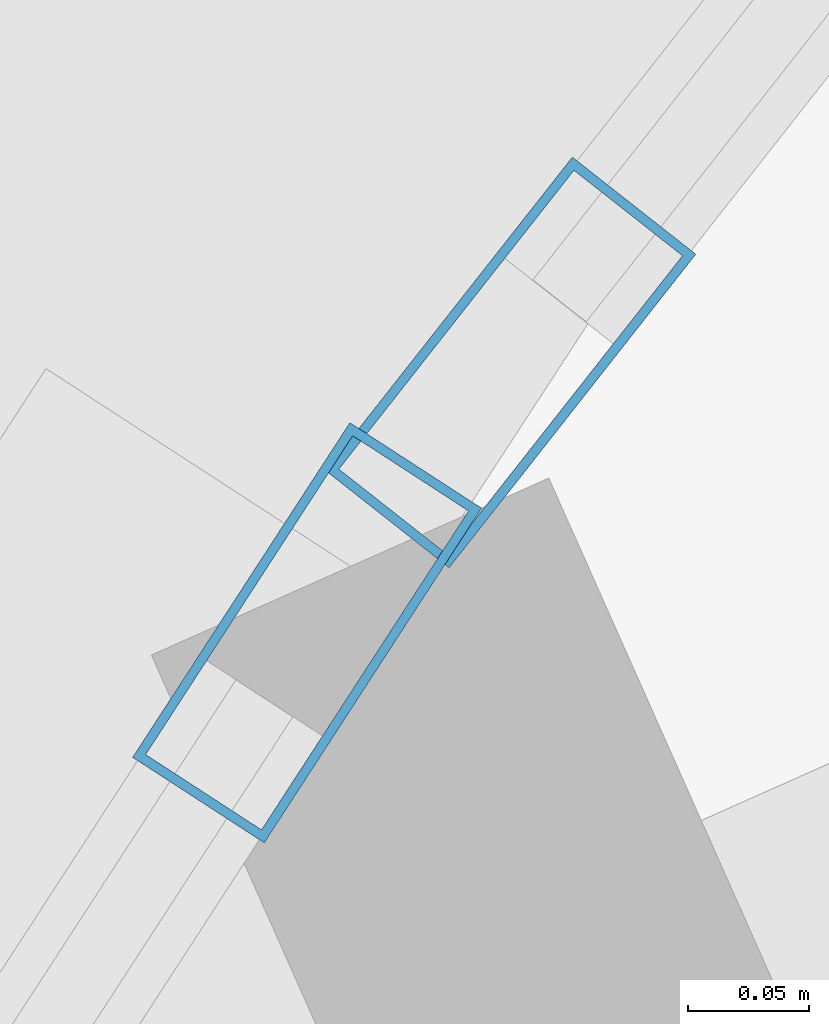
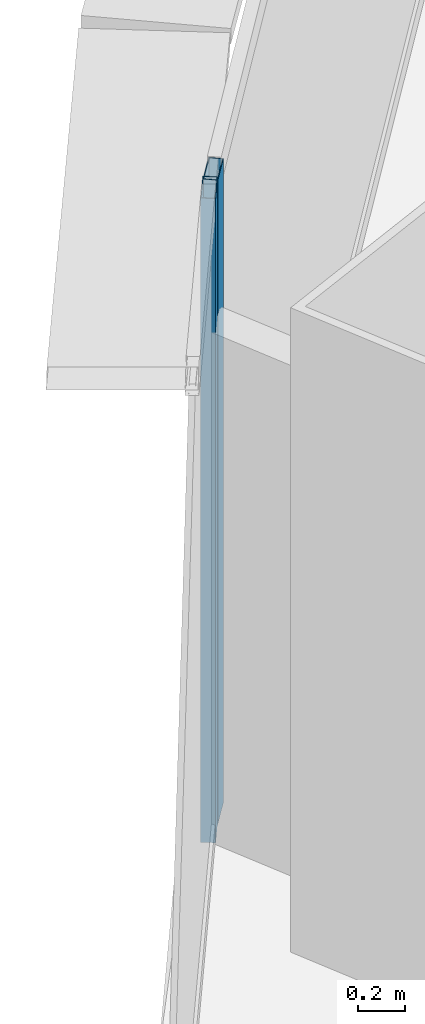
# One storey, part 18 of 37: 2 members, 2 elements without a shape of their own.
"""IFC4 building model written with IfcOpenShell, lengths in metres."""

import ifcopenshell
import ifcopenshell.guid

model = None  # the IFC model being written
_history = None  # IfcOwnerHistory: only IFC2X3 demands one
_inside = {}  # id of a spatial element -> (the spatial element, [elements in it])
_under = {}  # id of a project, library or spatial element -> (it, [spatial elements below it])
_declared = {}  # id of a project -> (the project, [libraries it declares])
_typed = {}  # id of a type object -> (the type object, [elements of that type])
_made_of = {}  # id of a material, layer set ... -> (it, [elements and type objects made of it])


def new_model(schema):
    """Start an empty IFC model of exactly this schema.

    Asked for "IFC4X3", IfcOpenShell would pick the latest addendum, in which some entities
    have other attributes; the version numbers below select the first issue.
    IFC2X3 requires an IfcOwnerHistory on every rooted entity: one is made here for all.
    """
    global model, _history
    if schema == "IFC4X3":
        model = ifcopenshell.file(schema_version=(4, 3, 0, 0))
    else:
        model = ifcopenshell.file(schema=schema)
    _inside.clear()
    _under.clear()
    _declared.clear()
    _typed.clear()
    _made_of.clear()
    _history = None
    if model.schema == "IFC2X3":
        org = make("IfcOrganization", Name="unknown")
        user = make(
            "IfcPersonAndOrganization",
            ThePerson=make("IfcPerson", FamilyName="unknown"),
            TheOrganization=org,
        )
        app = make(
            "IfcApplication",
            ApplicationDeveloper=org,
            Version="unknown",
            ApplicationFullName="unknown",
            ApplicationIdentifier="unknown",
        )
        _history = make(
            "IfcOwnerHistory",
            OwningUser=user,
            OwningApplication=app,
            ChangeAction="ADDED",
            CreationDate=0,
        )
    return model


def make(cls, **values):
    """One entity of the class cls with the attributes given. An attribute that is None is left unset."""
    return model.create_entity(
        cls, **{name: value for name, value in values.items() if value is not None}
    )


def rooted(cls, **values):
    """An entity with a GlobalId (a new one), such as an element, a storey or a relation."""
    return make(cls, GlobalId=ifcopenshell.guid.new(), OwnerHistory=_history, **values)


def si_unit(unit_type, name, prefix=None):
    """IfcSIUnit, for example si_unit("LENGTHUNIT", "METRE", prefix="MILLI")."""
    return make("IfcSIUnit", UnitType=unit_type, Prefix=prefix, Name=name)


def assignment(units):
    """IfcUnitAssignment: the units of a project."""
    return None if units is None else make("IfcUnitAssignment", Units=units)


def point(xyz):
    """IfcCartesianPoint."""
    return None if xyz is None else make("IfcCartesianPoint", Coordinates=xyz)


def direction(xyz):
    """IfcDirection."""
    return None if xyz is None else make("IfcDirection", DirectionRatios=xyz)


def frame(location, z_axis=None, x_axis=None):
    """IfcAxis2Placement3D, a coordinate frame: its origin and axes. An axis left out is left unset."""
    return make(
        "IfcAxis2Placement3D",
        Location=point(location),
        Axis=direction(z_axis),
        RefDirection=direction(x_axis),
    )


def frame_2d(location, x_axis=None):
    """IfcAxis2Placement2D, a coordinate frame in the plane: its origin and x axis."""
    return make(
        "IfcAxis2Placement2D", Location=point(location), RefDirection=direction(x_axis)
    )


def origin():
    """The frame at (0, 0, 0) with its axes left unset."""
    return frame((0.0, 0.0, 0.0))


def origin_2d():
    """The frame at (0, 0) in the plane with its x axis left unset."""
    return frame_2d((0.0, 0.0))


def place(relative_to, where):
    """IfcLocalPlacement: puts the frame where relative to a parent placement (None: the world)."""
    return make(
        "IfcLocalPlacement", PlacementRelTo=relative_to, RelativePlacement=where
    )


def context(
    kind, dimensions, precision=None, world=None, true_north=None, identifier=None
):
    """IfcGeometricRepresentationContext, for example the 3D "Model" context."""
    return make(
        "IfcGeometricRepresentationContext",
        ContextIdentifier=identifier,
        ContextType=kind,
        CoordinateSpaceDimension=dimensions,
        Precision=precision,
        WorldCoordinateSystem=world,
        TrueNorth=true_north,
    )


def subcontext(parent, identifier, kind, view, scale=None):
    """IfcGeometricRepresentationSubContext, for example "Body" below "Model"."""
    return make(
        "IfcGeometricRepresentationSubContext",
        ContextIdentifier=identifier,
        ContextType=kind,
        ParentContext=parent,
        TargetScale=scale,
        TargetView=view,
    )


def project(units=None, contexts=None):
    """IfcProject with its units and contexts."""
    return rooted(
        "IfcProject",
        Name="project",
        RepresentationContexts=contexts,
        UnitsInContext=assignment(units),
    )


def spatial(cls, under=None, at=None, **own):
    """A site, building, storey or space (cls), placed at a placement, below another one or the project."""
    s = rooted(cls, ObjectPlacement=at, **own)
    if under is not None:
        _under.setdefault(under.id(), (under, []))[1].append(s)
    return s


def profile(cls, at=None, kind="AREA", **sizes):
    """A parametric profile (cls). Its sizes go by their IFC names, for example OverallWidth=200.0."""
    return make(cls, ProfileType=kind, Position=at, **sizes)


def hollow_rectangle(**sizes):
    """IfcRectangleHollowProfileDef."""
    return profile("IfcRectangleHollowProfileDef", **sizes)


def extrude(swept, where, along, depth):
    """IfcExtrudedAreaSolid: the profile swept, set in the frame where, extruded along a direction by depth."""
    return make(
        "IfcExtrudedAreaSolid",
        SweptArea=swept,
        Position=where,
        ExtrudedDirection=direction(along),
        Depth=depth,
    )


def shape(context_of_items, identifier, shape_type, items):
    """IfcShapeRepresentation: the items that make up one representation, for example the "Body"."""
    return make(
        "IfcShapeRepresentation",
        ContextOfItems=context_of_items,
        RepresentationIdentifier=identifier,
        RepresentationType=shape_type,
        Items=items,
    )


def source(mapping_origin, context_of_items, identifier, shape_type, items):
    """IfcRepresentationMap: a shape defined once, which mapped items show again and again."""
    return make(
        "IfcRepresentationMap",
        MappingOrigin=mapping_origin,
        MappedRepresentation=shape(context_of_items, identifier, shape_type, items),
    )


def transform(
    local_origin,
    x_axis=None,
    y_axis=None,
    z_axis=None,
    scale=None,
    scale2=None,
    scale3=None,
    uniform=True,
):
    """IfcCartesianTransformationOperator3D, or its non-uniform kind. x_axis, y_axis, z_axis: its Axis1, 2, 3."""
    if uniform:
        return make(
            "IfcCartesianTransformationOperator3D",
            Axis1=direction(x_axis),
            Axis2=direction(y_axis),
            LocalOrigin=point(local_origin),
            Scale=scale,
            Axis3=direction(z_axis),
        )
    return make(
        "IfcCartesianTransformationOperator3DnonUniform",
        Axis1=direction(x_axis),
        Axis2=direction(y_axis),
        LocalOrigin=point(local_origin),
        Scale=scale,
        Axis3=direction(z_axis),
        Scale2=scale2,
        Scale3=scale3,
    )


def mapped(mapping_source, mapping_target):
    """IfcMappedItem: shows the shape of a source again, moved by a transform."""
    return make(
        "IfcMappedItem", MappingSource=mapping_source, MappingTarget=mapping_target
    )


def material(Name=None, Category=None):
    """IfcMaterial."""
    return make("IfcMaterial", Name=Name, Category=Category)


def layer(
    of_material, thickness, ventilated=None, Name=None, Category=None, Priority=None
):
    """IfcMaterialLayer: one layer of a wall or slab, of a material (None: an air gap)."""
    return make(
        "IfcMaterialLayer",
        Material=of_material,
        LayerThickness=thickness,
        IsVentilated=ventilated,
        Name=Name,
        Category=Category,
        Priority=Priority,
    )


def layer_set(layers, Name=None):
    """IfcMaterialLayerSet."""
    return make("IfcMaterialLayerSet", MaterialLayers=layers, LayerSetName=Name)


def material_profile(
    of_material, cross_section, Name=None, Category=None, Priority=None
):
    """IfcMaterialProfile: a cross section and its material."""
    return make(
        "IfcMaterialProfile",
        Name=Name,
        Material=of_material,
        Profile=cross_section,
        Priority=Priority,
        Category=Category,
    )


def profile_set(profiles, Name=None, composite=None):
    """IfcMaterialProfileSet."""
    return make(
        "IfcMaterialProfileSet",
        Name=Name,
        MaterialProfiles=profiles,
        CompositeProfile=composite,
    )


def made_of(thing, what):
    """Note that an element or type object is made of a material, layer set ...; save() writes the relation."""
    if what is not None:
        _made_of.setdefault(what.id(), (what, []))[1].append(thing)
    return thing


def type_object(cls, material=None, **own):
    """A type object (cls), such as IfcWallType, which elements share."""
    return made_of(rooted(cls, **own), material)


def element(
    cls,
    number,
    at=None,
    inside=None,
    cuts=None,
    type_object=None,
    material=None,
    context=None,
    identifier="Body",
    shape_type=None,
    held_by="IfcProductDefinitionShape",
    body=None,
    shapes=None,
    **own,
):
    """One element of the class cls, such as IfcWall. Its Tag is "e" and its number.

    at: its placement. inside: the storey or other place that contains it. cuts: it is an
    opening in that element (IfcRelVoidsElement). A single representation is given by context,
    identifier, shape_type and body (its items); several are given by shapes. held_by: the class
    of the entity that holds the representations. save() writes the other relations.
    """
    e = rooted(cls, Tag="e%d" % number, ObjectPlacement=at, **own)
    if body is not None:
        shapes = [shape(context, identifier, shape_type, body)]
    if shapes is not None:
        e.Representation = make(held_by, Representations=shapes)
    if inside is not None:
        _inside.setdefault(inside.id(), (inside, []))[1].append(e)
    if cuts is not None:
        rooted(
            "IfcRelVoidsElement", RelatingBuildingElement=cuts, RelatedOpeningElement=e
        )
    if type_object is not None:
        _typed.setdefault(type_object.id(), (type_object, []))[1].append(e)
    return made_of(e, material)


def aggregate(whole, parts):
    """IfcRelAggregates: a whole, such as a stair, and the parts it consists of."""
    return rooted("IfcRelAggregates", RelatingObject=whole, RelatedObjects=parts)


def save(model, path):
    """Write the relations noted so far, then the file.

    IfcRelAggregates (storeys below a building ...), IfcRelContainedInSpatialStructure (elements
    in a storey), IfcRelDefinesByType, IfcRelAssociatesMaterial and IfcRelDeclares: one each for
    every whole, place, type object, material and project.
    """
    for whole, parts in _under.values():
        aggregate(whole, parts)
    for where, things in _inside.values():
        rooted(
            "IfcRelContainedInSpatialStructure",
            RelatedElements=things,
            RelatingStructure=where,
        )
    for kind, things in _typed.values():
        rooted("IfcRelDefinesByType", RelatedObjects=things, RelatingType=kind)
    for what, things in _made_of.values():
        rooted("IfcRelAssociatesMaterial", RelatedObjects=things, RelatingMaterial=what)
    for by, libraries in _declared.values():
        rooted("IfcRelDeclares", RelatingContext=by, RelatedDefinitions=libraries)
    model.write(path)


model = new_model("IFC4")

# Units and contexts
model_context = context("Model", 3, precision=1e-05, world=origin(), true_north=direction((0.0, 1.0)))
body_context = subcontext(model_context, "Body", "Model", "MODEL_VIEW")
ifc_project = project(units=[si_unit("LENGTHUNIT", "METRE"), si_unit("AREAUNIT", "SQUARE_METRE"), si_unit("VOLUMEUNIT", "CUBIC_METRE"), si_unit("PLANEANGLEUNIT", "RADIAN"), si_unit("MASSUNIT", "GRAM", prefix="KILO"), si_unit("THERMODYNAMICTEMPERATUREUNIT", "KELVIN"), si_unit("POWERUNIT", "WATT")], contexts=[model_context])

# Site, building, storey
site_placement = place(None, origin())
site = spatial("IfcSite", under=ifc_project, at=site_placement, CompositionType="ELEMENT")
building_placement = place(site_placement, origin())
building = spatial("IfcBuilding", under=site, at=building_placement, Name="Yunzhuo Pagoda Commons", CompositionType="ELEMENT")
storey_placement = place(building_placement, frame((0.0, 0.0, 52.179931640625)))
storey = spatial("IfcBuildingStorey", under=building, at=storey_placement, Name="L13", CompositionType="ELEMENT", Elevation=52.179931640625)

# Curtain wall, member
ifc_material = material(Name="Anodized aluminium 6063-T6", Category="aluminium")
ifc_layer = layer(ifc_material, 0.1650390625)
ifc_layer_set = layer_set([ifc_layer], Name="Anodized aluminium 6063-T6")
curtain_wall_type = type_object("IfcCurtainWallType", Name="CW-LOW Low-Zone Ribbon Curtain Wall", PredefinedType="NOTDEFINED", material=ifc_layer_set)
curtain_wall_1_placement = place(storey_placement, origin())
curtain_wall_1 = element("IfcCurtainWall", 1, at=curtain_wall_1_placement, inside=storey, type_object=curtain_wall_type, Name="L13 curtain wall CW-L13-F3B2", PredefinedType="NOTDEFINED")
ifc_material_profile = material_profile(ifc_material, hollow_rectangle(XDim=0.06494140625, YDim=0.1650390625, WallThickness=0.00390625, at=origin_2d()), Name="Anodized aluminium 6063-T6")
ifc_profile_set = profile_set([ifc_material_profile], Name="Anodized aluminium 6063-T6")
member_type = type_object("IfcMemberType", Name="CW-LOW-M Mullion RHS 165x65x4", PredefinedType="MULLION", material=ifc_profile_set)
shared_shape = source(origin(), body_context, "Body", "SweptSolid", [
    extrude(hollow_rectangle(XDim=0.06494140625, YDim=0.1650390625, WallThickness=0.00390625, at=origin_2d()), origin(), (0.0, 0.0, 1.0), 3.3701171875),
])
member_1_placement = place(storey_placement, frame((30.810546875, 72.240966796875, 0.0), z_axis=(0.0, 0.0, 1.0), x_axis=(0.838776712394, -0.544475552018, 0.0)))
member_1 = element("IfcMember", 2, at=member_1_placement, type_object=member_type, Name="CW mullion 1", PredefinedType="MULLION", context=body_context, shape_type="MappedRepresentation", body=[
    mapped(shared_shape, transform((0.0, 0.0, 0.0), scale=1.0)),
])
aggregate(curtain_wall_1, [member_1])

curtain_wall_2_placement = place(storey_placement, origin())
curtain_wall_2 = element("IfcCurtainWall", 3, at=curtain_wall_2_placement, inside=storey, type_object=curtain_wall_type, Name="L13 curtain wall CW-L13-F3B1", PredefinedType="NOTDEFINED")
member_2_placement = place(storey_placement, frame((30.894775390625, 72.352783203125, 0.0), z_axis=(0.0, 0.0, 1.0), x_axis=(0.785963833081, -0.618272474794, 0.0)))
member_2 = element("IfcMember", 4, at=member_2_placement, type_object=member_type, Name="CW mullion 2", PredefinedType="MULLION", context=body_context, shape_type="MappedRepresentation", body=[
    mapped(shared_shape, transform((0.0, 0.0, 0.0), scale=1.0)),
])
aggregate(curtain_wall_2, [member_2])

save(model, "model.ifc")
